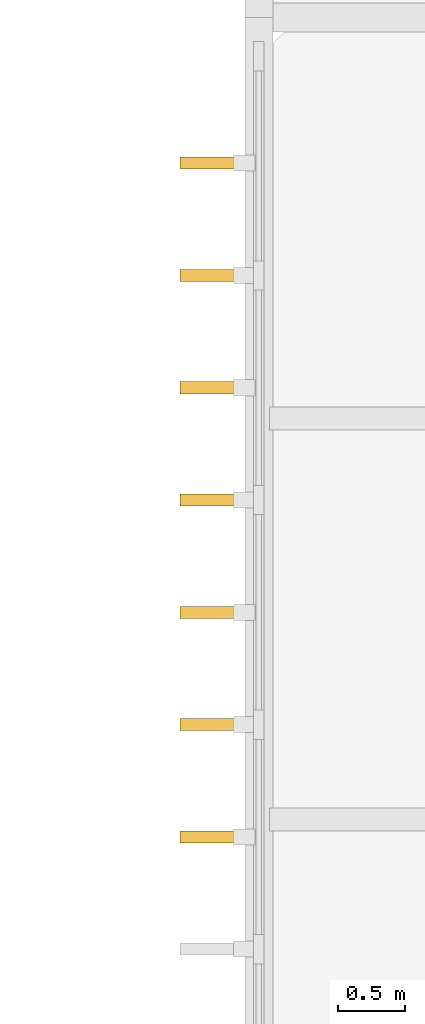
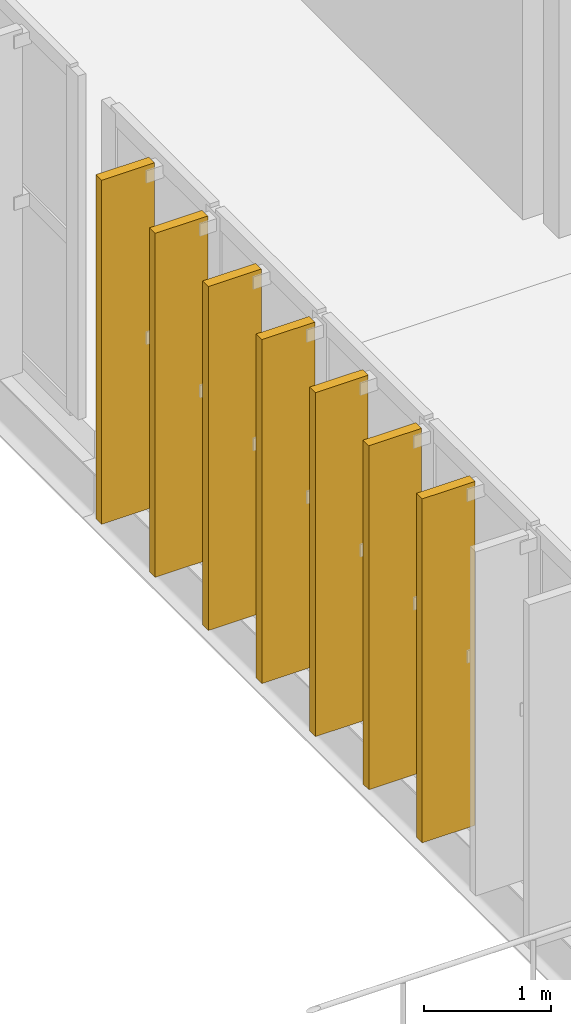
# One storey, part 77 of 82: 7 coverings.
"""IFC4 building model written with IfcOpenShell, lengths in metres."""

from ifc_helpers import new_model, si_unit, direction, frame, origin, origin_2d, place, context, subcontext, project, spatial, rectangle, extrude, material, type_object, element, save


model = new_model("IFC4")

# Units and contexts
model_context = context("Model", 3, precision=1e-05, world=origin(), true_north=direction((0.0, 1.0)))
body_context = subcontext(model_context, "Body", "Model", "MODEL_VIEW")
ifc_project = project(units=[si_unit("LENGTHUNIT", "METRE"), si_unit("AREAUNIT", "SQUARE_METRE"), si_unit("VOLUMEUNIT", "CUBIC_METRE"), si_unit("PLANEANGLEUNIT", "RADIAN"), si_unit("MASSUNIT", "GRAM", prefix="KILO")], contexts=[model_context])

# Site, building, storey
site_placement = place(None, origin())
site = spatial("IfcSite", under=ifc_project, at=site_placement, CompositionType="ELEMENT")
building_placement = place(site_placement, origin())
building = spatial("IfcBuilding", under=site, at=building_placement, Name="Zarnetskaya Central Station", CompositionType="ELEMENT")
storey_placement = place(building_placement, frame((0.0, 0.0, 10.199951171875)))
storey = spatial("IfcBuildingStorey", under=building, at=storey_placement, Name="L02", CompositionType="ELEMENT", Elevation=10.199951171875)

# Coverings
ifc_material = material(Name="Larch glulam GL28h", Category="wood")
covering_type = type_object("IfcCoveringType", Name="COV-LARCH-BLADE", PredefinedType="CLADDING", material=ifc_material)
for number, where, z_axis, x_axis, name in (
    (1, (57.25, 25.070068359375, 0.0), (0.0, 0.0, 1.0), (0.0, 1.0, 0.0), "Vertical GL28h larch gable screen blade CW-L02-088-03"),
    (2, (57.25, 25.909912109375, 0.0), (0.0, 0.0, 1.0), (0.0, 1.0, 0.0), "Vertical GL28h larch gable screen blade CW-L02-088-04"),
    (3, (57.25, 26.75, 0.0), (0.0, 0.0, 1.0), (0.0, 1.0, 0.0), "Vertical GL28h larch gable screen blade CW-L02-088-05"),
    (4, (57.25, 27.590087890625, 0.0), (0.0, 0.0, 1.0), (0.0, 1.0, 0.0), "Vertical GL28h larch gable screen blade CW-L02-088-06"),
    (5, (57.25, 28.429931640625, 0.0), (0.0, 0.0, 1.0), (0.0, 1.0, 0.0), "Vertical GL28h larch gable screen blade CW-L02-088-07"),
    (6, (57.25, 29.27001953125, 0.0), (0.0, 0.0, 1.0), (0.0, 1.0, 0.0), "Vertical GL28h larch gable screen blade CW-L02-088-08"),
    (7, (57.25, 30.110107421875, 0.0), (0.0, 0.0, 1.0), (0.0, 1.0, 0.0), "Vertical GL28h larch gable screen blade CW-L02-088-09"),
):
    element("IfcCovering", number, at=place(storey_placement, frame(where, z_axis=z_axis, x_axis=x_axis)), inside=storey, type_object=covering_type, Name=name, PredefinedType="CLADDING", context=body_context, shape_type="SweptSolid", body=[
        extrude(rectangle(XDim=0.090087890625, YDim=0.47998046875, at=origin_2d()), origin(), (0.0, 0.0, 1.0), 3.300048828125),
    ])

save(model, "model.ifc")
